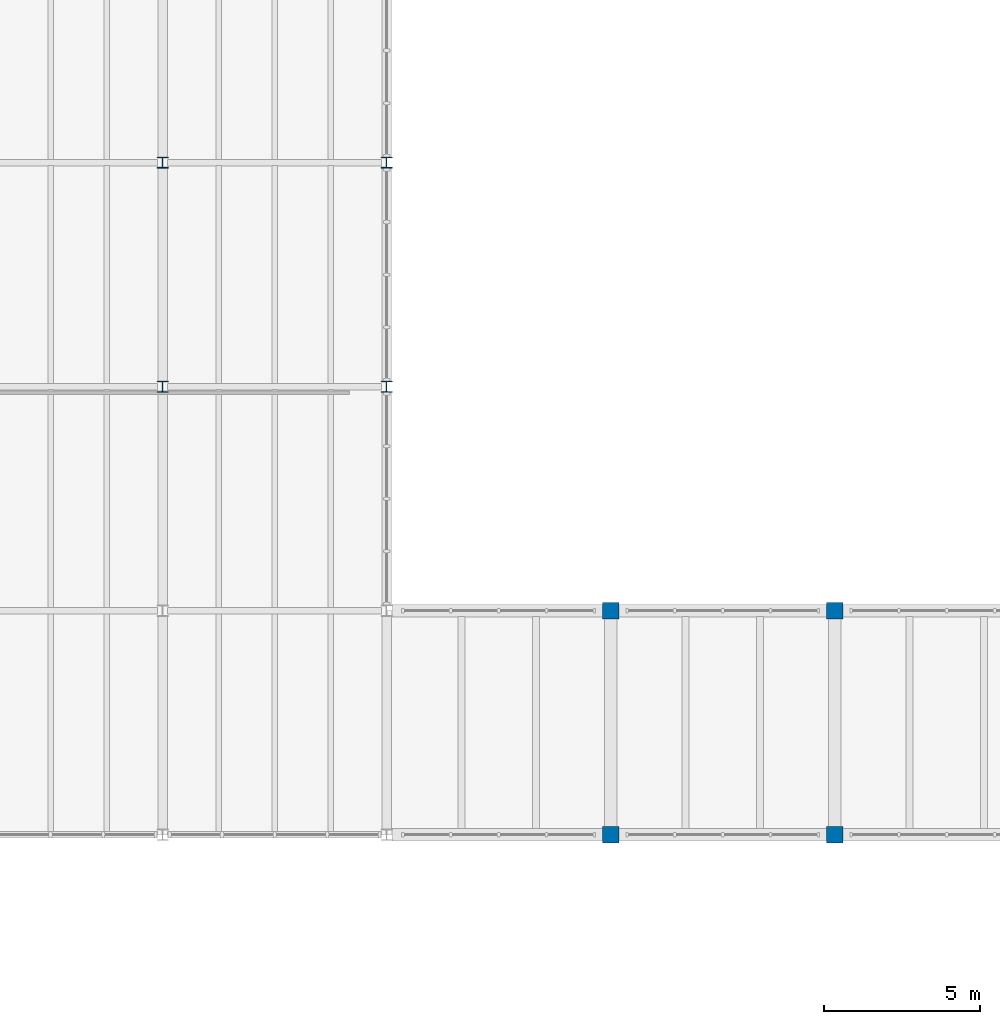
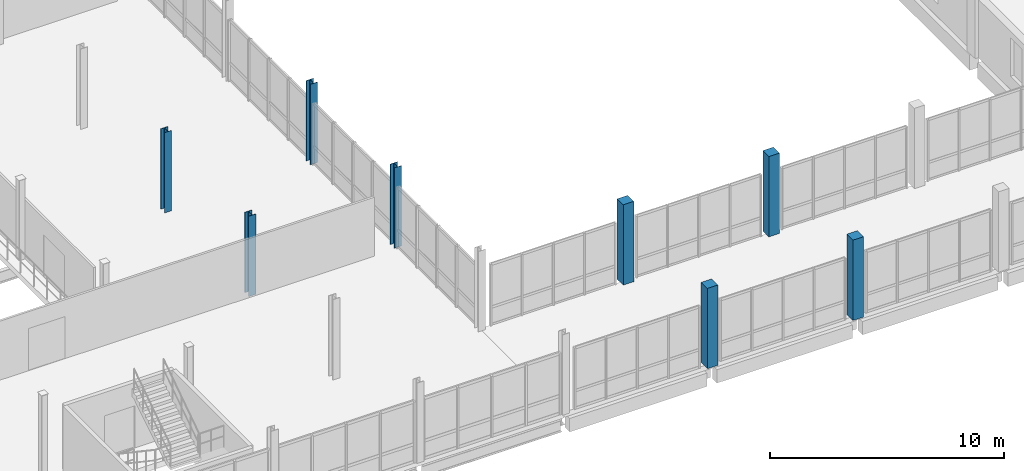
# One storey, part 8 of 72: 8 columns.
"""IFC4 building model written with IfcOpenShell, lengths in metres."""

from ifc_helpers import new_model, si_unit, direction, frame, origin, origin_2d, place, context, subcontext, project, spatial, rectangle, i_section, extrude, material, material_profile, profile_set, type_object, element, save


model = new_model("IFC4")

# Units and contexts
model_context = context("Model", 3, precision=1e-05, world=origin(), true_north=direction((0.0, 1.0)))
body_context = subcontext(model_context, "Body", "Model", "MODEL_VIEW")
ifc_project = project(units=[si_unit("LENGTHUNIT", "METRE"), si_unit("AREAUNIT", "SQUARE_METRE"), si_unit("VOLUMEUNIT", "CUBIC_METRE"), si_unit("PLANEANGLEUNIT", "RADIAN"), si_unit("MASSUNIT", "GRAM", prefix="KILO")], contexts=[model_context])

# Site, building, storey
site_placement = place(None, origin())
site = spatial("IfcSite", under=ifc_project, at=site_placement, CompositionType="ELEMENT")
building_placement = place(site_placement, origin())
building = spatial("IfcBuilding", under=site, at=building_placement, Name="Qiaolan Assembly House", CompositionType="ELEMENT")
storey_placement = place(building_placement, frame((0.0, 0.0, 10.199951171875)))
storey = spatial("IfcBuildingStorey", under=building, at=storey_placement, Name="L02", CompositionType="ELEMENT", Elevation=10.199951171875)

# Columns
ifc_material_1 = material(Name="Steel Q355B", Category="steel")
ifc_material_profile_1 = material_profile(ifc_material_1, i_section(OverallWidth=0.35009765625, OverallDepth=0.35009765625, WebThickness=0.011962890625, FlangeThickness=0.01904296875, FilletRadius=0.02001953125, at=origin_2d()), Name="HW 350x350x12x19")
ifc_profile_set_1 = profile_set([ifc_material_profile_1], Name="Steel Q355B")
column_type_1 = type_object("IfcColumnType", Name="COL-STL-HW350", PredefinedType="COLUMN", material=ifc_profile_set_1)
for number, where, z_axis, x_axis, name in (
    (1, (100.800048828125, 50.39990234375, 0.0), (0.0, 0.0, 1.0), (1.0, 0.0, 0.0), "SC-02 hall column L02"),
    (2, (100.800048828125, 57.60009765625, 0.0), (0.0, 0.0, 1.0), (1.0, 0.0, 0.0), "SC-02 hall column L02"),
    (3, (108.0, 50.39990234375, 0.0), (0.0, 0.0, 1.0), (1.0, 0.0, 0.0), "SC-02 hall column L02"),
    (4, (108.0, 57.60009765625, 0.0), (0.0, 0.0, 1.0), (1.0, 0.0, 0.0), "SC-02 hall column L02"),
):
    element("IfcColumn", number, at=place(storey_placement, frame(where, z_axis=z_axis, x_axis=x_axis)), inside=storey, type_object=column_type_1, Name=name, PredefinedType="COLUMN", context=body_context, shape_type="SweptSolid", body=[
        extrude(i_section(OverallWidth=0.35009765625, OverallDepth=0.35009765625, WebThickness=0.011962890625, FlangeThickness=0.01904296875, FilletRadius=0.02001953125, at=origin_2d()), origin(), (0.0, 0.0, 1.0), 4.199951171875),
    ])
ifc_material_2 = material(Name="Precast concrete C45/55", Category="concrete")
ifc_material_profile_2 = material_profile(ifc_material_2, rectangle(XDim=0.52001953125, YDim=0.52001953125, at=origin_2d()), Name="PIL 520x520")
ifc_profile_set_2 = profile_set([ifc_material_profile_2], Name="Precast concrete C45/55")
column_type_2 = type_object("IfcColumnType", Name="PIL-CLOISTER-520", PredefinedType="PILASTER", material=ifc_profile_set_2)
for number, where, z_axis, x_axis, name in (
    (5, (115.199951171875, 36.0, 0.0), (0.0, 0.0, 1.0), (1.0, 0.0, 0.0), "PL-06 cloister pier L02"),
    (6, (115.199951171875, 43.199951171875, 0.0), (0.0, 0.0, 1.0), (1.0, 0.0, 0.0), "PL-06 cloister pier L02"),
    (7, (122.39990234375, 36.0, 0.0), (0.0, 0.0, 1.0), (1.0, 0.0, 0.0), "PL-06 cloister pier L02"),
    (8, (122.39990234375, 43.199951171875, 0.0), (0.0, 0.0, 1.0), (1.0, 0.0, 0.0), "PL-06 cloister pier L02"),
):
    element("IfcColumn", number, at=place(storey_placement, frame(where, z_axis=z_axis, x_axis=x_axis)), inside=storey, type_object=column_type_2, Name=name, PredefinedType="PILASTER", context=body_context, shape_type="SweptSolid", body=[
        extrude(rectangle(XDim=0.52001953125, YDim=0.52001953125, at=origin_2d()), origin(), (0.0, 0.0, 1.0), 4.199951171875),
    ])

save(model, "model.ifc")
